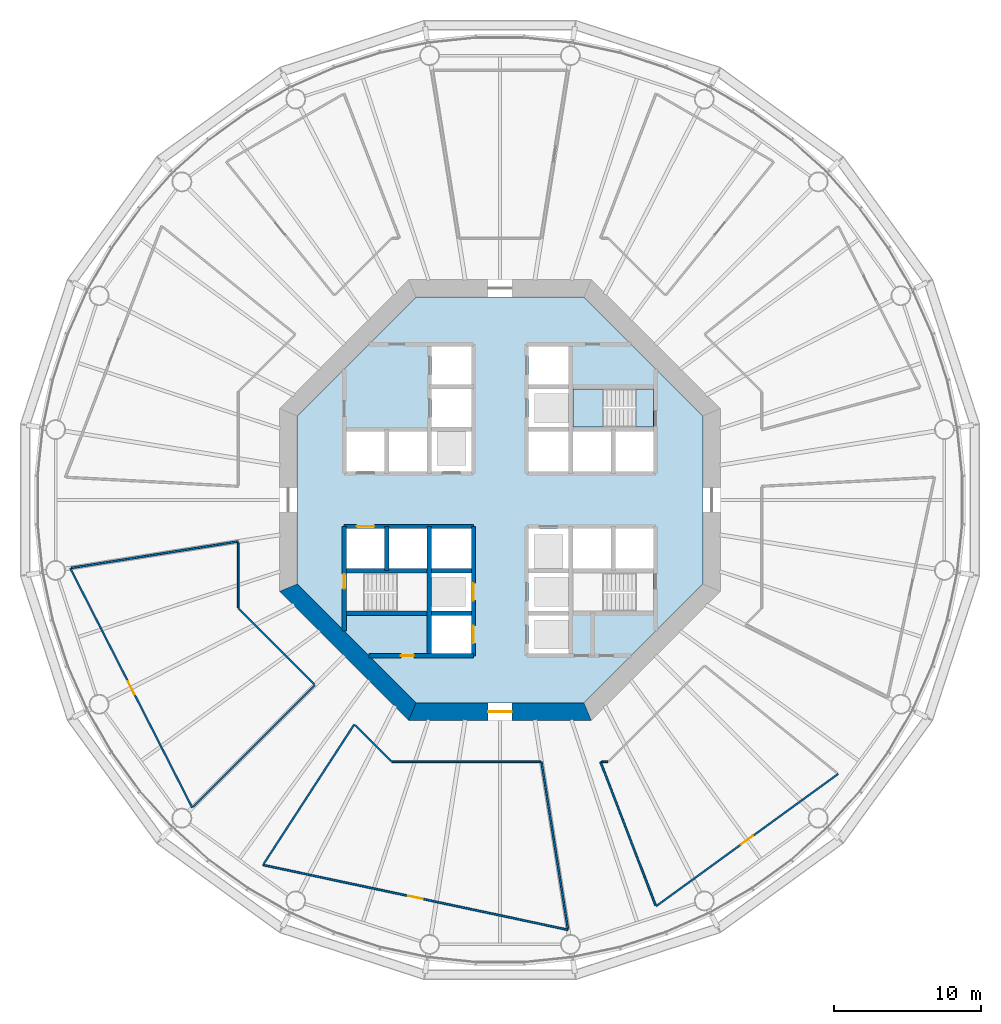
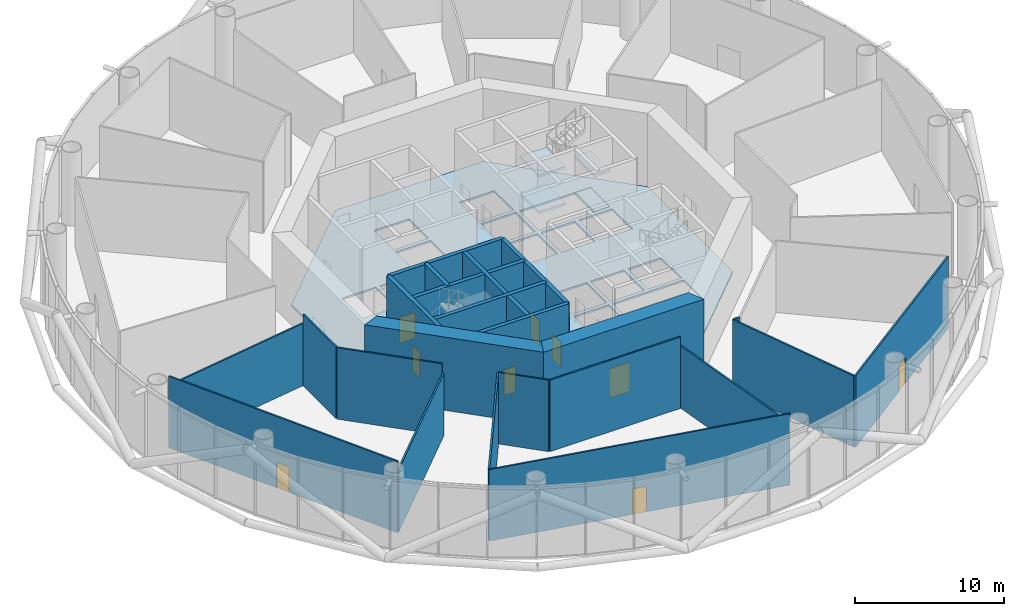
# One storey, part 3 of 14: 23 walls, 9 doors, 5 slabs, 9 openings, 1 element without a shape of its own.
"""IFC4 building model written with IfcOpenShell, lengths in metres."""

from ifc_helpers import new_model, si_unit, direction, frame, frame_2d, origin, place, context, subcontext, project, spatial, polyline, rectangle, outline, extrude, material, layer, layer_set, type_object, element, fill, aggregate, save


model = new_model("IFC4")

# Units and contexts
model_context = context("Model", 3, precision=1e-05, world=origin(), true_north=direction((0.0, 1.0)))
body_context = subcontext(model_context, "Body", "Model", "MODEL_VIEW")
ifc_project = project(units=[si_unit("LENGTHUNIT", "METRE"), si_unit("AREAUNIT", "SQUARE_METRE"), si_unit("VOLUMEUNIT", "CUBIC_METRE"), si_unit("PLANEANGLEUNIT", "RADIAN"), si_unit("MASSUNIT", "GRAM", prefix="KILO")], contexts=[model_context])

# Site, building, storey
site_placement = place(None, origin())
site = spatial("IfcSite", under=ifc_project, at=site_placement, CompositionType="ELEMENT")
building_placement = place(site_placement, origin())
building = spatial("IfcBuilding", under=site, at=building_placement, Name="Entoto Ring Tower", CompositionType="ELEMENT")
storey_placement = place(building_placement, frame((0.0, 0.0, 132.0)))
storey = spatial("IfcBuildingStorey", under=building, at=storey_placement, Name="L30", CompositionType="ELEMENT", Elevation=132.0)

# Slab
ifc_material_1 = material(Name="Concrete C40/50", Category="concrete")
ifc_layer_1 = layer(ifc_material_1, 0.14990234375)
ifc_layer_set_1 = layer_set([ifc_layer_1], Name="Concrete C40/50")
slab_type_1 = type_object("IfcSlabType", Name="Core floor slab 150 mm reinforced concrete C40/50", PredefinedType="FLOOR", material=ifc_layer_set_1)
slab_1_placement = place(storey_placement, frame((0.0, 0.0, -0.14990234375)))
element("IfcSlab", 1, at=slab_1_placement, inside=storey, type_object=slab_type_1, Name="Core floor L30", PredefinedType="FLOOR", context=body_context, shape_type="SweptSolid", body=[
    extrude(outline(polyline([(103.800048828125, 74.283935546875), (103.800048828125, 85.716064453125), (95.716064453125, 93.800048828125), (84.283935546875, 93.800048828125), (76.199951171875, 85.716064453125), (76.199951171875, 74.283935546875), (84.283935546875, 66.199951171875), (95.716064453125, 66.199951171875), (103.800048828125, 74.283935546875)]), holes=[polyline([(100.449951171875, 84.949951171875), (100.449951171875, 87.550048828125), (94.949951171875, 87.550048828125), (94.949951171875, 84.949951171875), (100.449951171875, 84.949951171875)]), polyline([(85.050048828125, 72.449951171875), (85.050048828125, 75.050048828125), (79.550048828125, 75.050048828125), (79.550048828125, 72.449951171875), (85.050048828125, 72.449951171875)]), polyline([(100.449951171875, 72.449951171875), (100.449951171875, 75.050048828125), (94.949951171875, 75.050048828125), (94.949951171875, 72.449951171875), (100.449951171875, 72.449951171875)]), polyline([(94.949951171875, 81.949951171875), (97.550048828125, 81.949951171875), (97.550048828125, 84.64990234375), (94.949951171875, 84.64990234375), (94.949951171875, 81.949951171875)]), polyline([(97.85009765625, 81.949951171875), (100.449951171875, 81.949951171875), (100.449951171875, 84.64990234375), (97.85009765625, 84.64990234375), (97.85009765625, 81.949951171875)]), polyline([(82.449951171875, 81.949951171875), (85.050048828125, 81.949951171875), (85.050048828125, 84.64990234375), (82.449951171875, 84.64990234375), (82.449951171875, 81.949951171875)]), polyline([(94.949951171875, 75.35009765625), (97.550048828125, 75.35009765625), (97.550048828125, 78.050048828125), (94.949951171875, 78.050048828125), (94.949951171875, 75.35009765625)]), polyline([(97.85009765625, 75.35009765625), (100.449951171875, 75.35009765625), (100.449951171875, 78.050048828125), (97.85009765625, 78.050048828125), (97.85009765625, 75.35009765625)]), polyline([(82.449951171875, 75.35009765625), (85.050048828125, 75.35009765625), (85.050048828125, 78.050048828125), (82.449951171875, 78.050048828125), (82.449951171875, 75.35009765625)]), polyline([(91.949951171875, 84.949951171875), (94.64990234375, 84.949951171875), (94.64990234375, 87.550048828125), (91.949951171875, 87.550048828125), (91.949951171875, 84.949951171875)]), polyline([(91.949951171875, 72.449951171875), (94.64990234375, 72.449951171875), (94.64990234375, 75.050048828125), (91.949951171875, 75.050048828125), (91.949951171875, 72.449951171875)]), polyline([(91.949951171875, 69.550048828125), (94.64990234375, 69.550048828125), (94.64990234375, 72.14990234375), (91.949951171875, 72.14990234375), (91.949951171875, 69.550048828125)]), polyline([(85.35009765625, 72.449951171875), (88.050048828125, 72.449951171875), (88.050048828125, 75.050048828125), (85.35009765625, 75.050048828125), (85.35009765625, 72.449951171875)]), polyline([(85.35009765625, 81.949951171875), (88.050048828125, 81.949951171875), (88.050048828125, 84.64990234375), (85.35009765625, 84.64990234375), (85.35009765625, 81.949951171875)]), polyline([(91.949951171875, 75.35009765625), (94.64990234375, 75.35009765625), (94.64990234375, 78.050048828125), (91.949951171875, 78.050048828125), (91.949951171875, 75.35009765625)]), polyline([(79.550048828125, 81.949951171875), (82.14990234375, 81.949951171875), (82.14990234375, 84.64990234375), (79.550048828125, 84.64990234375), (79.550048828125, 81.949951171875)]), polyline([(79.550048828125, 75.35009765625), (82.14990234375, 75.35009765625), (82.14990234375, 78.050048828125), (79.550048828125, 78.050048828125), (79.550048828125, 75.35009765625)]), polyline([(91.949951171875, 87.85009765625), (94.64990234375, 87.85009765625), (94.64990234375, 90.449951171875), (91.949951171875, 90.449951171875), (91.949951171875, 87.85009765625)]), polyline([(85.35009765625, 69.550048828125), (88.050048828125, 69.550048828125), (88.050048828125, 72.14990234375), (85.35009765625, 72.14990234375), (85.35009765625, 69.550048828125)]), polyline([(91.949951171875, 81.949951171875), (94.64990234375, 81.949951171875), (94.64990234375, 84.64990234375), (91.949951171875, 84.64990234375), (91.949951171875, 81.949951171875)]), polyline([(85.35009765625, 75.35009765625), (88.050048828125, 75.35009765625), (88.050048828125, 78.050048828125), (85.35009765625, 78.050048828125), (85.35009765625, 75.35009765625)]), polyline([(85.35009765625, 84.949951171875), (88.050048828125, 84.949951171875), (88.050048828125, 87.550048828125), (85.35009765625, 87.550048828125), (85.35009765625, 84.949951171875)]), polyline([(85.35009765625, 87.85009765625), (88.050048828125, 87.85009765625), (88.050048828125, 90.449951171875), (85.35009765625, 90.449951171875), (85.35009765625, 87.85009765625)])]), origin(), (0.0, 0.0, 1.0), 0.14990234375),
])

# Stair, slabs
ifc_material_2 = material(Name="Concrete C40/50", Category="concrete")
stair_type = type_object("IfcStairType", Name="Exit stair 1200 mm dog-leg reinforced concrete", PredefinedType="HALF_TURN_STAIR", material=ifc_material_2)
stair_placement = place(storey_placement, origin())
stair = element("IfcStair", 2, at=stair_placement, inside=storey, type_object=stair_type, Name="Exit stair 1", PredefinedType="HALF_TURN_STAIR")
ifc_material_3 = material(Name="Concrete C40/50", Category="concrete")
ifc_layer_2 = layer(ifc_material_3, 0.199951171875)
ifc_layer_set_2 = layer_set([ifc_layer_2], Name="Concrete C40/50")
slab_type_2 = type_object("IfcSlabType", Name="Stair landing 200 mm reinforced concrete", PredefinedType="LANDING", material=ifc_layer_set_2)
slab_2_placement = place(storey_placement, frame((0.0, 0.0, -0.199951171875)))
slab_2 = element("IfcSlab", 3, at=slab_2_placement, type_object=slab_type_2, Name="ST1 landing 1", PredefinedType="LANDING", context=body_context, shape_type="SweptSolid", body=[
    extrude(outline(polyline([(100.449951171875, 84.949951171875), (100.449951171875, 87.550048828125), (99.25, 87.550048828125), (99.25, 84.949951171875), (100.449951171875, 84.949951171875)])), origin(), (0.0, 0.0, 1.0), 0.199951171875),
])
slab_3_placement = place(storey_placement, frame((0.0, 0.0, 1.300048828125)))
slab_3 = element("IfcSlab", 4, at=slab_3_placement, type_object=slab_type_2, Name="ST1 landing 2", PredefinedType="LANDING", context=body_context, shape_type="SweptSolid", body=[
    extrude(outline(polyline([(94.949951171875, 84.949951171875), (97.010009765625, 84.949951171875), (97.010009765625, 87.550048828125), (94.949951171875, 87.550048828125), (94.949951171875, 84.949951171875)])), origin(), (0.0, 0.0, 1.0), 0.199951171875),
])
slab_4_placement = place(storey_placement, frame((0.0, 0.0, 2.800048828125)))
slab_4 = element("IfcSlab", 5, at=slab_4_placement, type_object=slab_type_2, Name="ST1 landing 3", PredefinedType="LANDING", context=body_context, shape_type="SweptSolid", body=[
    extrude(outline(polyline([(99.25, 84.949951171875), (100.449951171875, 84.949951171875), (100.449951171875, 87.550048828125), (99.25, 87.550048828125), (99.25, 84.949951171875)])), origin(), (0.0, 0.0, 1.0), 0.199951171875),
])
slab_5_placement = place(storey_placement, frame((0.0, 0.0, 4.300048828125)))
slab_5 = element("IfcSlab", 6, at=slab_5_placement, type_object=slab_type_2, Name="ST1 landing 4", PredefinedType="LANDING", context=body_context, shape_type="SweptSolid", body=[
    extrude(outline(polyline([(94.949951171875, 84.949951171875), (97.010009765625, 84.949951171875), (97.010009765625, 87.550048828125), (94.949951171875, 87.550048828125), (94.949951171875, 84.949951171875)])), origin(), (0.0, 0.0, 1.0), 0.199951171875),
])
aggregate(stair, [slab_2, slab_3, slab_4, slab_5])

# Wall, openings, doors
ifc_material_4 = material(Name="Concrete C40/50", Category="concrete")
ifc_layer_3 = layer(ifc_material_4, 0.300048828125)
ifc_layer_set_3 = layer_set([ifc_layer_3], Name="Concrete C40/50")
wall_type_1 = type_object("IfcWallType", Name="Core enclosure wall 300 mm reinforced concrete", PredefinedType="SOLIDWALL", material=ifc_layer_set_3)
wall_1_placement = place(storey_placement, frame((88.199951171875, 69.39990234375, 0.0), z_axis=(0.0, 0.0, 1.0), x_axis=(0.0, 1.0, 0.0)))
wall_1 = element("IfcWall", 7, at=wall_1_placement, inside=storey, type_object=wall_type_1, Name="wall-L30-010", PredefinedType="SOLIDWALL", context=body_context, shape_type="SweptSolid", body=[
    extrude(rectangle(XDim=8.800048828125, YDim=0.300048828125, at=frame_2d((4.39990234375, 0.0))), origin(), (0.0, 0.0, 1.0), 5.85009765625),
])
opening_1_placement = place(wall_1_placement, frame((3.75, 0.0, 0.0)))
opening_1 = element("IfcOpeningElement", 8, at=opening_1_placement, cuts=wall_1, Name="Opening LD", PredefinedType="OPENING", context=body_context, shape_type="SweptSolid", body=[
    extrude(rectangle(XDim=1.199951171875, YDim=2.10009765625, at=frame_2d((0.60009765625, 1.050048828125))), frame((0.0, 0.16015625, 0.0), z_axis=(0.0, -1.0, 0.0), x_axis=(1.0, 0.0, 0.0)), (0.0, 0.0, 1.0), 0.320068359375),
])
opening_2_placement = place(wall_1_placement, frame((0.85009765625, 0.0, 0.0)))
opening_2 = element("IfcOpeningElement", 9, at=opening_2_placement, cuts=wall_1, Name="Opening LD", PredefinedType="OPENING", context=body_context, shape_type="SweptSolid", body=[
    extrude(rectangle(XDim=1.199951171875, YDim=2.10009765625, at=frame_2d((0.60009765625, 1.050048828125))), frame((0.0, 0.16015625, 0.0), z_axis=(0.0, -1.0, 0.0), x_axis=(1.0, 0.0, 0.0)), (0.0, 0.0, 1.0), 0.320068359375),
])
ifc_material_5 = material(Name="Steel and glass door leaf", Category="steel")
ifc_layer_4 = layer(ifc_material_5, 0.050048828125)
ifc_layer_set_4 = layer_set([ifc_layer_4], Name="Steel and glass door leaf")
door_type_1 = type_object("IfcDoorType", Name="Landing door 1200 x 2100 sliding", OperationType="DOUBLE_DOOR_SLIDING", PredefinedType="DOOR", material=ifc_layer_set_4)
door_1_placement = place(opening_1_placement, origin())
door_1 = element("IfcDoor", 10, at=door_1_placement, inside=storey, type_object=door_type_1, Name="Landing door LB4-MR", OperationType="SLIDING_TO_RIGHT", OverallHeight=2.10009765625, OverallWidth=1.199951171875, PredefinedType="DOOR", context=body_context, shape_type="SweptSolid", body=[
    extrude(rectangle(XDim=1.199951171875, YDim=2.10009765625, at=frame_2d((0.60009765625, 1.050048828125))), frame((0.0, 0.02490234375, 0.0), z_axis=(0.0, -1.0, 0.0), x_axis=(1.0, 0.0, 0.0)), (0.0, 0.0, 1.0), 0.050048828125),
])
fill(opening_1, door_1)
door_2_placement = place(opening_2_placement, origin())
door_2 = element("IfcDoor", 11, at=door_2_placement, inside=storey, type_object=door_type_1, Name="Landing door SH4", OperationType="SLIDING_TO_RIGHT", OverallHeight=2.10009765625, OverallWidth=1.199951171875, PredefinedType="DOOR", context=body_context, shape_type="SweptSolid", body=[
    extrude(rectangle(XDim=1.199951171875, YDim=2.10009765625, at=frame_2d((0.60009765625, 1.050048828125))), frame((0.0, 0.02490234375, 0.0), z_axis=(0.0, -1.0, 0.0), x_axis=(1.0, 0.0, 0.0)), (0.0, 0.0, 1.0), 0.050048828125),
])
fill(opening_2, door_2)

# Walls
wall_2_placement = place(storey_placement, frame((85.199951171875, 69.39990234375, 0.0), z_axis=(0.0, 0.0, 1.0), x_axis=(0.0, 1.0, 0.0)))
element("IfcWall", 12, at=wall_2_placement, inside=storey, type_object=wall_type_1, Name="wall-L30-012", PredefinedType="SOLIDWALL", context=body_context, shape_type="SweptSolid", body=[
    extrude(rectangle(XDim=8.800048828125, YDim=0.300048828125, at=frame_2d((4.39990234375, 0.0))), origin(), (0.0, 0.0, 1.0), 5.85009765625),
])
wall_3_placement = place(storey_placement, frame((82.300048828125, 75.199951171875, 0.0), z_axis=(0.0, 0.0, 1.0), x_axis=(0.0, 1.0, 0.0)))
element("IfcWall", 13, at=wall_3_placement, inside=storey, type_object=wall_type_1, Name="wall-L30-014", PredefinedType="SOLIDWALL", context=body_context, shape_type="SweptSolid", body=[
    extrude(rectangle(XDim=3.0, YDim=0.300048828125, at=frame_2d((1.5, 0.0))), origin(), (0.0, 0.0, 1.0), 5.85009765625),
])

# Wall, opening, door
wall_4_placement = place(storey_placement, frame((79.39990234375, 71.083984375, 0.0), z_axis=(0.0, 0.0, 1.0), x_axis=(0.0, 1.0, 0.0)))
wall_4 = element("IfcWall", 14, at=wall_4_placement, inside=storey, type_object=wall_type_1, Name="wall-L30-016", PredefinedType="SOLIDWALL", context=body_context, shape_type="SweptSolid", body=[
    extrude(rectangle(XDim=7.115966796875, YDim=0.300048828125, at=frame_2d((3.55810546875, 0.0))), origin(), (0.0, 0.0, 1.0), 5.85009765625),
])
opening_3_placement = place(wall_4_placement, frame((2.8662109375, 0.0, 0.0)))
opening_3 = element("IfcOpeningElement", 15, at=opening_3_placement, cuts=wall_4, Name="Opening K-55", PredefinedType="OPENING", context=body_context, shape_type="SweptSolid", body=[
    extrude(rectangle(XDim=1.0, YDim=2.10009765625, at=frame_2d((0.5, 1.050048828125))), frame((0.0, 0.16015625, 0.0), z_axis=(0.0, -1.0, 0.0), x_axis=(1.0, 0.0, 0.0)), (0.0, 0.0, 1.0), 0.320068359375),
])
ifc_material_6 = material(Name="Steel door leaf, fire rated", Category="steel")
ifc_layer_5 = layer(ifc_material_6, 0.050048828125)
ifc_layer_set_5 = layer_set([ifc_layer_5], Name="Steel door leaf, fire rated")
door_type_2 = type_object("IfcDoorType", Name="Fire door FD60 1000 x 2100 single leaf", OperationType="NOTDEFINED", PredefinedType="DOOR", material=ifc_layer_set_5)
door_3_placement = place(opening_3_placement, frame((1.0, 0.0, 0.0), z_axis=(0.0, 0.0, 1.0), x_axis=(-1.0, 0.0, 0.0)))
door_3 = element("IfcDoor", 16, at=door_3_placement, inside=storey, type_object=door_type_2, Name="Door K-55", OperationType="SINGLE_SWING_LEFT", OverallHeight=2.10009765625, OverallWidth=1.0, PredefinedType="DOOR", context=body_context, shape_type="SweptSolid", body=[
    extrude(rectangle(XDim=1.0, YDim=2.10009765625, at=frame_2d((0.5, 1.050048828125))), frame((0.0, 0.02490234375, 0.0), z_axis=(0.0, -1.0, 0.0), x_axis=(1.0, 0.0, 0.0)), (0.0, 0.0, 1.0), 0.050048828125),
])
fill(opening_3, door_3)

wall_5_placement = place(storey_placement, frame((81.083984375, 69.39990234375, 0.0), z_axis=(0.0, 0.0, 1.0), x_axis=(1.0, 0.0, 0.0)))
wall_5 = element("IfcWall", 17, at=wall_5_placement, inside=storey, type_object=wall_type_1, Name="wall-L30-018", PredefinedType="SOLIDWALL", context=body_context, shape_type="SweptSolid", body=[
    extrude(rectangle(XDim=7.115966796875, YDim=0.300048828125, at=frame_2d((3.55810546875, 0.0))), origin(), (0.0, 0.0, 1.0), 5.85009765625),
])
opening_4_placement = place(wall_5_placement, frame((2.166015625, 0.0, 0.0)))
opening_4 = element("IfcOpeningElement", 18, at=opening_4_placement, cuts=wall_5, Name="Opening K-19", PredefinedType="OPENING", context=body_context, shape_type="SweptSolid", body=[
    extrude(rectangle(XDim=0.89990234375, YDim=2.10009765625, at=frame_2d((0.449951171875, 1.050048828125))), frame((0.0, 0.16015625, 0.0), z_axis=(0.0, -1.0, 0.0), x_axis=(1.0, 0.0, 0.0)), (0.0, 0.0, 1.0), 0.320068359375),
])
ifc_material_7 = material(Name="Steel door leaf, fire rated", Category="steel")
ifc_layer_6 = layer(ifc_material_7, 0.050048828125)
ifc_layer_set_6 = layer_set([ifc_layer_6], Name="Steel door leaf, fire rated")
door_type_3 = type_object("IfcDoorType", Name="Core door 900 x 2100 single leaf", OperationType="NOTDEFINED", PredefinedType="DOOR", material=ifc_layer_set_6)
door_4_placement = place(opening_4_placement, origin())
door_4 = element("IfcDoor", 19, at=door_4_placement, inside=storey, type_object=door_type_3, Name="Door K-19", OperationType="SINGLE_SWING_RIGHT", OverallHeight=2.10009765625, OverallWidth=0.89990234375, PredefinedType="DOOR", context=body_context, shape_type="SweptSolid", body=[
    extrude(rectangle(XDim=0.89990234375, YDim=2.10009765625, at=frame_2d((0.449951171875, 1.050048828125))), frame((0.0, 0.02490234375, 0.0), z_axis=(0.0, -1.0, 0.0), x_axis=(1.0, 0.0, 0.0)), (0.0, 0.0, 1.0), 0.050048828125),
])
fill(opening_4, door_4)

# Walls
for number, where, z_axis, x_axis, name in (
    (20, (79.39990234375, 72.300048828125, 0.0), (0.0, 0.0, 1.0), (1.0, 0.0, 0.0), "wall-L30-020"),
    (21, (79.39990234375, 75.199951171875, 0.0), (0.0, 0.0, 1.0), (1.0, 0.0, 0.0), "wall-L30-022"),
):
    element("IfcWall", number, at=place(storey_placement, frame(where, z_axis=z_axis, x_axis=x_axis)), inside=storey, type_object=wall_type_1, Name=name, PredefinedType="SOLIDWALL", context=body_context, shape_type="SweptSolid", body=[
        extrude(rectangle(XDim=8.800048828125, YDim=0.300048828125, at=frame_2d((4.39990234375, 0.0))), origin(), (0.0, 0.0, 1.0), 5.85009765625),
    ])

# Wall, opening, door
wall_6_placement = place(storey_placement, frame((79.39990234375, 78.199951171875, 0.0), z_axis=(0.0, 0.0, 1.0), x_axis=(1.0, 0.0, 0.0)))
wall_6 = element("IfcWall", 22, at=wall_6_placement, inside=storey, type_object=wall_type_1, Name="wall-L30-024", PredefinedType="SOLIDWALL", context=body_context, shape_type="SweptSolid", body=[
    extrude(rectangle(XDim=8.800048828125, YDim=0.300048828125, at=frame_2d((4.39990234375, 0.0))), origin(), (0.0, 0.0, 1.0), 5.85009765625),
])
opening_5_placement = place(wall_6_placement, frame((0.85009765625, 0.0, 0.0)))
opening_5 = element("IfcOpeningElement", 23, at=opening_5_placement, cuts=wall_6, Name="Opening LD", PredefinedType="OPENING", context=body_context, shape_type="SweptSolid", body=[
    extrude(rectangle(XDim=1.199951171875, YDim=2.10009765625, at=frame_2d((0.60009765625, 1.050048828125))), frame((0.0, 0.16015625, 0.0), z_axis=(0.0, -1.0, 0.0), x_axis=(1.0, 0.0, 0.0)), (0.0, 0.0, 1.0), 0.320068359375),
])
door_5_placement = place(opening_5_placement, origin())
door_5 = element("IfcDoor", 24, at=door_5_placement, inside=storey, type_object=door_type_1, Name="Landing door SH2", OperationType="SLIDING_TO_RIGHT", OverallHeight=2.10009765625, OverallWidth=1.199951171875, PredefinedType="DOOR", context=body_context, shape_type="SweptSolid", body=[
    extrude(rectangle(XDim=1.199951171875, YDim=2.10009765625, at=frame_2d((0.60009765625, 1.050048828125))), frame((0.0, 0.02490234375, 0.0), z_axis=(0.0, -1.0, 0.0), x_axis=(1.0, 0.0, 0.0)), (0.0, 0.0, 1.0), 0.050048828125),
])
fill(opening_5, door_5)

# Wall
ifc_material_8 = material(Name="Concrete C60/75", Category="concrete")
ifc_layer_7 = layer(ifc_material_8, 1.199951171875)
ifc_layer_set_7 = layer_set([ifc_layer_7], Name="Concrete C60/75")
wall_type_2 = type_object("IfcWallType", Name="Core shear wall 1200 mm reinforced concrete C60/75", PredefinedType="SHEAR", material=ifc_layer_set_7)
wall_7_placement = place(storey_placement, frame((75.60009765625, 74.035400390625, 0.0), z_axis=(0.0, 0.0, 1.0), x_axis=(0.707106781187, -0.707106781187, 0.0)))
element("IfcWall", 25, at=wall_7_placement, inside=storey, type_object=wall_type_2, Name="wall-L30-core-5", PredefinedType="SHEAR", context=body_context, shape_type="SweptSolid", body=[
    extrude(outline(polyline([(-0.24853515625, -0.60009765625), (12.177734375, -0.60009765625), (11.6806640625, 0.60009765625), (0.24853515625, 0.60009765625), (-0.24853515625, -0.60009765625)])), origin(), (0.0, 0.0, 1.0), 6.0),
])

# Wall, opening, door
wall_8_placement = place(storey_placement, frame((84.035400390625, 65.60009765625, 0.0), z_axis=(0.0, 0.0, 1.0), x_axis=(1.0, 0.0, 0.0)))
wall_8 = element("IfcWall", 26, at=wall_8_placement, inside=storey, type_object=wall_type_2, Name="wall-L30-core-6", PredefinedType="SHEAR", context=body_context, shape_type="SweptSolid", body=[
    extrude(outline(polyline([(-0.24853515625, -0.60009765625), (12.177734375, -0.60009765625), (11.6806640625, 0.60009765625), (0.24853515625, 0.60009765625), (-0.24853515625, -0.60009765625)])), origin(), (0.0, 0.0, 1.0), 6.0),
])
opening_6_placement = place(wall_8_placement, frame((5.164794921875, 0.0, 0.0)))
opening_6 = element("IfcOpeningElement", 27, at=opening_6_placement, cuts=wall_8, Name="Opening K-04", PredefinedType="OPENING", context=body_context, shape_type="SweptSolid", body=[
    extrude(rectangle(XDim=1.60009765625, YDim=2.39990234375, at=frame_2d((0.800048828125, 1.199951171875))), frame((0.0, 0.60986328125, 0.0), z_axis=(0.0, -1.0, 0.0), x_axis=(1.0, 0.0, 0.0)), (0.0, 0.0, 1.0), 1.219970703125),
])
ifc_material_9 = material(Name="Steel door leaf, fire rated", Category="steel")
ifc_layer_8 = layer(ifc_material_9, 0.050048828125)
ifc_layer_set_8 = layer_set([ifc_layer_8], Name="Steel door leaf, fire rated")
door_type_4 = type_object("IfcDoorType", Name="Entrance door FD60 1600 x 2400 double leaf", OperationType="DOUBLE_DOOR_SINGLE_SWING", PredefinedType="DOOR", material=ifc_layer_set_8)
door_6_placement = place(opening_6_placement, origin())
door_6 = element("IfcDoor", 28, at=door_6_placement, inside=storey, type_object=door_type_4, Name="Entrance door K-04", OperationType="DOUBLE_DOOR_SINGLE_SWING", OverallHeight=2.39990234375, OverallWidth=1.60009765625, PredefinedType="DOOR", context=body_context, shape_type="SweptSolid", body=[
    extrude(rectangle(XDim=1.60009765625, YDim=2.39990234375, at=frame_2d((0.800048828125, 1.199951171875))), frame((0.0, 0.02490234375, 0.0), z_axis=(0.0, -1.0, 0.0), x_axis=(1.0, 0.0, 0.0)), (0.0, 0.0, 1.0), 0.050048828125),
])
fill(opening_6, door_6)

ifc_material_10 = material(Name="Fire-resisting plasterboard on steel studs", Category="steel")
ifc_layer_9 = layer(ifc_material_10, 0.125)
ifc_layer_set_9 = layer_set([ifc_layer_9], Name="Fire-resisting plasterboard on steel studs")
wall_type_3 = type_object("IfcWallType", Name="Corridor wall 125 mm one-hour plasterboard on steel studs", PredefinedType="PARTITIONING", material=ifc_layer_set_9)
wall_9_placement = place(storey_placement, frame((94.630615234375, 50.764404296875, 0.0), z_axis=(0.0, 0.0, 1.0), x_axis=(-0.978148320932, 0.207908302521, 0.0)))
wall_9 = element("IfcWall", 29, at=wall_9_placement, inside=storey, type_object=wall_type_3, Name="partition-L30-001", PredefinedType="PARTITIONING", context=body_context, shape_type="SweptSolid", body=[
    extrude(rectangle(XDim=21.215576171875, YDim=0.125, at=frame_2d((10.60791015625, 0.0))), origin(), (0.0, 0.0, 1.0), 5.85009765625),
])
opening_7_placement = place(wall_9_placement, frame((10.107666015625, 0.0, 0.0)))
opening_7 = element("IfcOpeningElement", 30, at=opening_7_placement, cuts=wall_9, Name="Opening A13-D07", PredefinedType="OPENING", context=body_context, shape_type="SweptSolid", body=[
    extrude(rectangle(XDim=1.0, YDim=2.10009765625, at=frame_2d((0.5, 1.050048828125))), frame((0.0, 0.072509765625, 0.0), z_axis=(0.0, -1.0, 0.0), x_axis=(1.0, 0.0, 0.0)), (0.0, 0.0, 1.0), 0.14501953125),
])
ifc_material_11 = material(Name="Fire-resisting timber door set", Category="wood")
door_type_5 = type_object("IfcDoorType", Name="Door 1000 x 2100 single leaf FD30S fire door", OperationType="NOTDEFINED", PredefinedType="DOOR", material=ifc_material_11)
door_7_placement = place(opening_7_placement, frame((1.0, 0.0, 0.0), z_axis=(0.0, 0.0, 1.0), x_axis=(-1.0, 0.0, 0.0)))
door_7 = element("IfcDoor", 31, at=door_7_placement, inside=storey, type_object=door_type_5, Name="Door A13-D07", OperationType="SINGLE_SWING_RIGHT", OverallHeight=2.10009765625, OverallWidth=1.0, PredefinedType="DOOR", context=body_context, shape_type="SweptSolid", body=[
    extrude(rectangle(XDim=1.0, YDim=2.10009765625, at=frame_2d((0.5, 1.050048828125))), frame((0.0, 0.02490234375, 0.0), z_axis=(0.0, -1.0, 0.0), x_axis=(1.0, 0.0, 0.0)), (0.0, 0.0, 1.0), 0.050048828125),
])
fill(opening_7, door_7)

wall_10_placement = place(storey_placement, frame((69.069580078125, 59.069580078125, 0.0), z_axis=(0.0, 0.0, 1.0), x_axis=(-0.453990954158, 0.891006292651, 0.0)))
wall_10 = element("IfcWall", 32, at=wall_10_placement, inside=storey, type_object=wall_type_3, Name="partition-L30-003", PredefinedType="PARTITIONING", context=body_context, shape_type="SweptSolid", body=[
    extrude(rectangle(XDim=18.293701171875, YDim=0.125, at=frame_2d((9.14697265625, 0.0))), origin(), (0.0, 0.0, 1.0), 5.85009765625),
])
opening_8_placement = place(wall_10_placement, frame((8.64697265625, 0.0, 0.0)))
opening_8 = element("IfcOpeningElement", 33, at=opening_8_placement, cuts=wall_10, Name="Opening A13-D06", PredefinedType="OPENING", context=body_context, shape_type="SweptSolid", body=[
    extrude(rectangle(XDim=1.0, YDim=2.10009765625, at=frame_2d((0.5, 1.050048828125))), frame((0.0, 0.072509765625, 0.0), z_axis=(0.0, -1.0, 0.0), x_axis=(1.0, 0.0, 0.0)), (0.0, 0.0, 1.0), 0.14501953125),
])
door_8_placement = place(opening_8_placement, frame((1.0, 0.0, 0.0), z_axis=(0.0, 0.0, 1.0), x_axis=(-1.0, 0.0, 0.0)))
door_8 = element("IfcDoor", 34, at=door_8_placement, inside=storey, type_object=door_type_5, Name="Door A13-D06", OperationType="SINGLE_SWING_RIGHT", OverallHeight=2.10009765625, OverallWidth=1.0, PredefinedType="DOOR", context=body_context, shape_type="SweptSolid", body=[
    extrude(rectangle(XDim=1.0, YDim=2.10009765625, at=frame_2d((0.5, 1.050048828125))), frame((0.0, 0.02490234375, 0.0), z_axis=(0.0, -1.0, 0.0), x_axis=(1.0, 0.0, 0.0)), (0.0, 0.0, 1.0), 0.050048828125),
])
fill(opening_8, door_8)

wall_11_placement = place(storey_placement, frame((100.607666015625, 52.365966796875, 0.0), z_axis=(0.0, 0.0, 1.0), x_axis=(0.809015052937, 0.587787924444, 0.0)))
wall_11 = element("IfcWall", 35, at=wall_11_placement, inside=storey, type_object=wall_type_3, Name="partition-L30-005", PredefinedType="PARTITIONING", context=body_context, shape_type="SweptSolid", body=[
    extrude(rectangle(XDim=15.322021484375, YDim=0.125, at=frame_2d((7.6611328125, 0.0))), origin(), (0.0, 0.0, 1.0), 5.85009765625),
])
opening_9_placement = place(wall_11_placement, frame((7.160888671875, 0.0, 0.0)))
opening_9 = element("IfcOpeningElement", 36, at=opening_9_placement, cuts=wall_11, Name="Opening A13-D08", PredefinedType="OPENING", context=body_context, shape_type="SweptSolid", body=[
    extrude(rectangle(XDim=1.0, YDim=2.10009765625, at=frame_2d((0.5, 1.050048828125))), frame((0.0, 0.072509765625, 0.0), z_axis=(0.0, -1.0, 0.0), x_axis=(1.0, 0.0, 0.0)), (0.0, 0.0, 1.0), 0.14501953125),
])
door_9_placement = place(opening_9_placement, origin())
door_9 = element("IfcDoor", 37, at=door_9_placement, inside=storey, type_object=door_type_5, Name="Door A13-D08", OperationType="SINGLE_SWING_LEFT", OverallHeight=2.10009765625, OverallWidth=1.0, PredefinedType="DOOR", context=body_context, shape_type="SweptSolid", body=[
    extrude(rectangle(XDim=1.0, YDim=2.10009765625, at=frame_2d((0.5, 1.050048828125))), frame((0.0, 0.02490234375, 0.0), z_axis=(0.0, -1.0, 0.0), x_axis=(1.0, 0.0, 0.0)), (0.0, 0.0, 1.0), 0.050048828125),
])
fill(opening_9, door_9)

# Walls
wall_12_placement = place(storey_placement, frame((73.927978515625, 55.25146484375, 0.0), z_axis=(0.0, 0.0, 1.0), x_axis=(0.54464388894, 0.83866741575, 0.0)))
element("IfcWall", 38, at=wall_12_placement, inside=storey, type_object=wall_type_3, Name="partition-L30-019", PredefinedType="PARTITIONING", context=body_context, shape_type="SweptSolid", body=[
    extrude(rectangle(XDim=11.311767578125, YDim=0.125, at=frame_2d((5.65576171875, 0.0))), origin(), (0.0, 0.0, 1.0), 5.85009765625),
])
wall_13_placement = place(storey_placement, frame((100.57861328125, 52.44189453125, 0.0), z_axis=(0.0, 0.0, 1.0), x_axis=(-0.35837483828, 0.93357778213, 0.0)))
element("IfcWall", 39, at=wall_13_placement, inside=storey, type_object=wall_type_3, Name="partition-L30-024", PredefinedType="PARTITIONING", context=body_context, shape_type="SweptSolid", body=[
    extrude(rectangle(XDim=10.452392578125, YDim=0.125, at=frame_2d((5.22607421875, 0.0))), origin(), (0.0, 0.0, 1.0), 5.85009765625),
])
wall_14_placement = place(storey_placement, frame((82.626953125, 62.199951171875, 0.0), z_axis=(0.0, 0.0, 1.0), x_axis=(1.0, 0.0, 0.0)))
element("IfcWall", 40, at=wall_14_placement, inside=storey, type_object=wall_type_3, Name="partition-L30-025", PredefinedType="PARTITIONING", context=body_context, shape_type="SweptSolid", body=[
    extrude(rectangle(XDim=10.130615234375, YDim=0.125, at=frame_2d((5.0654296875, 0.0))), origin(), (0.0, 0.0, 1.0), 5.85009765625),
])
wall_15_placement = place(storey_placement, frame((77.369140625, 67.457763671875, 0.0), z_axis=(0.0, 0.0, 1.0), x_axis=(-0.707106781187, 0.707106781187, 0.0)))
element("IfcWall", 41, at=wall_15_placement, inside=storey, type_object=wall_type_3, Name="partition-L30-031", PredefinedType="PARTITIONING", context=body_context, shape_type="SweptSolid", body=[
    extrude(rectangle(XDim=7.310302734375, YDim=0.125, at=frame_2d((3.6552734375, 0.0))), origin(), (0.0, 0.0, 1.0), 5.85009765625),
])
wall_16_placement = place(storey_placement, frame((72.199951171875, 72.6708984375, 0.0), z_axis=(0.0, 0.0, 1.0), x_axis=(0.0, 1.0, 0.0)))
element("IfcWall", 42, at=wall_16_placement, inside=storey, type_object=wall_type_3, Name="partition-L30-038", PredefinedType="PARTITIONING", context=body_context, shape_type="SweptSolid", body=[
    extrude(rectangle(XDim=4.436767578125, YDim=0.125, at=frame_2d((2.21826171875, 0.0))), origin(), (0.0, 0.0, 1.0), 5.85009765625),
])
wall_17_placement = place(storey_placement, frame((82.595947265625, 62.231201171875, 0.0), z_axis=(0.0, 0.0, 1.0), x_axis=(-0.707141975512, 0.70707158511, 0.0)))
element("IfcWall", 43, at=wall_17_placement, inside=storey, type_object=wall_type_3, Name="partition-L30-039", PredefinedType="PARTITIONING", context=body_context, shape_type="SweptSolid", body=[
    extrude(rectangle(XDim=3.46826171875, YDim=0.125, at=frame_2d((1.734130859375, 0.0))), origin(), (0.0, 0.0, 1.0), 5.85009765625),
])
wall_18_placement = place(storey_placement, frame((96.923583984375, 62.199951171875, 0.0), z_axis=(0.0, 0.0, 1.0), x_axis=(1.0, 0.0, 0.0)))
element("IfcWall", 44, at=wall_18_placement, inside=storey, type_object=wall_type_3, Name="partition-L30-043", PredefinedType="PARTITIONING", context=body_context, shape_type="SweptSolid", body=[
    extrude(rectangle(XDim=0.405517578125, YDim=0.125, at=frame_2d((0.20263671875, 0.0))), origin(), (0.0, 0.0, 1.0), 5.85009765625),
])
ifc_material_12 = material(Name="Fire-resisting plasterboard on steel studs", Category="steel")
ifc_layer_10 = layer(ifc_material_12, 0.125)
ifc_layer_set_10 = layer_set([ifc_layer_10], Name="Fire-resisting plasterboard on steel studs")
wall_type_4 = type_object("IfcWallType", Name="Corridor wall 125 mm one-hour plasterboard on steel studs, 5097 mm high", PredefinedType="PARTITIONING", material=ifc_layer_set_10)
wall_19_placement = place(storey_placement, frame((69.13037109375, 59.13037109375, 0.0), z_axis=(0.0, 0.0, 1.0), x_axis=(0.707106781187, 0.707106781187, 0.0)))
element("IfcWall", 45, at=wall_19_placement, inside=storey, type_object=wall_type_4, Name="partition-L30-007", PredefinedType="PARTITIONING", context=body_context, shape_type="SweptSolid", body=[
    extrude(rectangle(XDim=11.714111328125, YDim=0.125, at=frame_2d((5.85693359375, 0.0))), origin(), (0.0, 0.0, 1.0), 5.096923828125),
])
wall_20_placement = place(storey_placement, frame((60.84912109375, 75.383056640625, 0.0), z_axis=(0.0, 0.0, 1.0), x_axis=(0.98768757837, 0.156439277464, 0.0)))
element("IfcWall", 46, at=wall_20_placement, inside=storey, type_object=wall_type_4, Name="partition-L30-015", PredefinedType="PARTITIONING", context=body_context, shape_type="SweptSolid", body=[
    extrude(rectangle(XDim=11.492431640625, YDim=0.125, at=frame_2d((5.74609375, 0.0))), origin(), (0.0, 0.0, 1.0), 5.096923828125),
])
wall_21_placement = place(storey_placement, frame((94.6162109375, 50.85400390625, 0.0), z_axis=(0.0, 0.0, 1.0), x_axis=(-0.156442756191, 0.98768702737, 0.0)))
element("IfcWall", 47, at=wall_21_placement, inside=storey, type_object=wall_type_4, Name="partition-L30-018", PredefinedType="PARTITIONING", context=body_context, shape_type="SweptSolid", body=[
    extrude(rectangle(XDim=11.4873046875, YDim=0.125, at=frame_2d((5.74365234375, 0.0))), origin(), (0.0, 0.0, 1.0), 5.096923828125),
])

save(model, "model.ifc")
